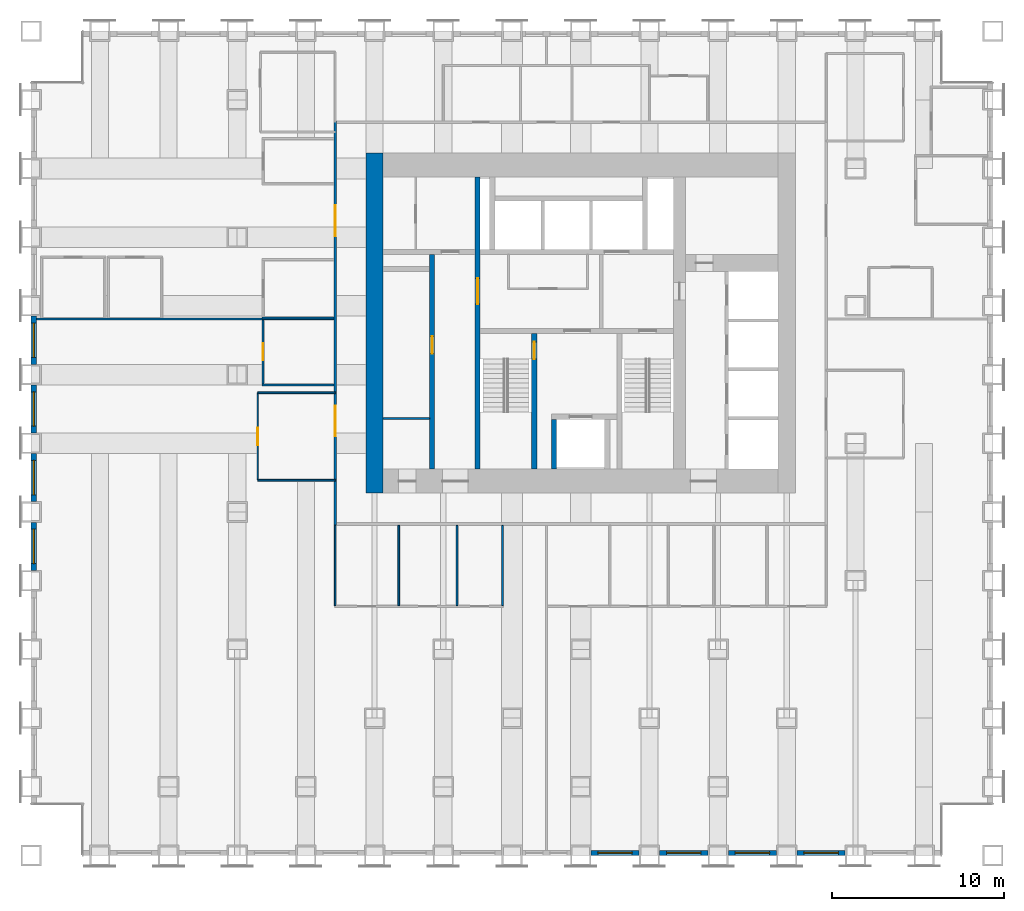
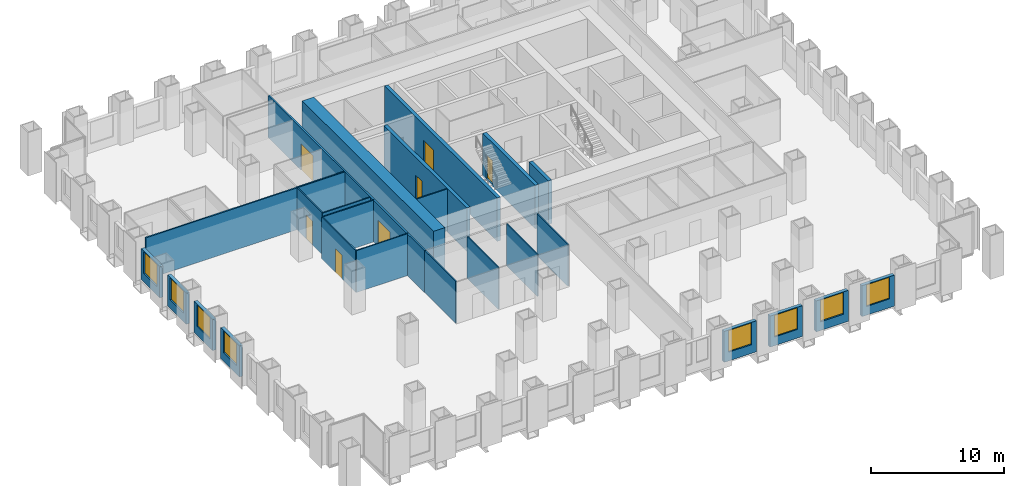
# One storey, part 8 of 14: 26 walls, 8 windows, 7 doors, 15 openings.
"""IFC4 building model written with IfcOpenShell, lengths in metres."""

from ifc_helpers import new_model, si_unit, direction, frame, frame_2d, origin, place, context, subcontext, project, spatial, rectangle, extrude, material, layer, layer_set, type_object, element, fill, save


model = new_model("IFC4")

# Units and contexts
model_context = context("Model", 3, precision=1e-05, world=origin(), true_north=direction((0.0, 1.0)))
body_context = subcontext(model_context, "Body", "Model", "MODEL_VIEW")
ifc_project = project(units=[si_unit("LENGTHUNIT", "METRE"), si_unit("AREAUNIT", "SQUARE_METRE"), si_unit("VOLUMEUNIT", "CUBIC_METRE"), si_unit("PLANEANGLEUNIT", "RADIAN"), si_unit("MASSUNIT", "GRAM", prefix="KILO")], contexts=[model_context])

# Site, building, storey
site_placement = place(None, origin())
site = spatial("IfcSite", under=ifc_project, at=site_placement, CompositionType="ELEMENT")
building_placement = place(site_placement, origin())
building = spatial("IfcBuilding", under=site, at=building_placement, Name="Rimbunsela Tower", CompositionType="ELEMENT")
storey_placement = place(building_placement, frame((0.0, 0.0, 15.0)))
storey = spatial("IfcBuildingStorey", under=building, at=storey_placement, Name="L03", CompositionType="ELEMENT", Elevation=15.0)

# Wall, opening, door
ifc_material_1 = material(Name="Concrete fc' 80 MPa", Category="concrete")
ifc_layer_1 = layer(ifc_material_1, 0.300048828125)
ifc_layer_set_1 = layer_set([ifc_layer_1], Name="Core internal wall 300")
wall_type_1 = type_object("IfcWallType", Name="Core internal wall 300", PredefinedType="SHEAR", material=ifc_layer_set_1)
wall_1_placement = place(storey_placement, frame((24.0, 18.5, -0.14990234375), z_axis=(0.0, 0.0, 1.0), x_axis=(0.0, 1.0, 0.0)))
wall_1 = element("IfcWall", 1, at=wall_1_placement, inside=storey, type_object=wall_type_1, Name="Core wall at stair A", PredefinedType="SHEAR", context=body_context, shape_type="SweptSolid", body=[
    extrude(rectangle(XDim=17.0, YDim=0.300048828125, at=frame_2d((8.5, 0.0))), origin(), (0.0, 0.0, 1.0), 4.0),
])
opening_1_placement = place(wall_1_placement, frame((9.60009765625, 0.0, 0.14990234375)))
opening_1 = element("IfcOpeningElement", 2, at=opening_1_placement, cuts=wall_1, Name="Opening D03", PredefinedType="OPENING", context=body_context, shape_type="SweptSolid", body=[
    extrude(rectangle(XDim=1.5, YDim=2.39990234375, at=frame_2d((0.75, 1.199951171875))), frame((0.0, 0.159912109375, 0.0), z_axis=(0.0, -1.0, 0.0), x_axis=(1.0, 0.0, 0.0)), (0.0, 0.0, 1.0), 0.320068359375),
])
ifc_material_2 = material(Name="Steel door, fire rated", Category="steel")
door_type_1 = type_object("IfcDoorType", Name="Core lobby door 1500", OperationType="DOUBLE_DOOR_DOUBLE_SWING", PredefinedType="DOOR", material=ifc_material_2)
door_1_placement = place(opening_1_placement, origin())
door_1 = element("IfcDoor", 3, at=door_1_placement, inside=storey, type_object=door_type_1, Name="West lobby door", OperationType="DOUBLE_DOOR_DOUBLE_SWING", OverallHeight=2.39990234375, OverallWidth=1.5, PredefinedType="DOOR", context=body_context, shape_type="SweptSolid", body=[
    extrude(rectangle(XDim=1.5, YDim=2.39990234375, at=frame_2d((0.75, 1.199951171875))), frame((0.0, 0.02490234375, 0.0), z_axis=(0.0, -1.0, 0.0), x_axis=(1.0, 0.0, 0.0)), (0.0, 0.0, 1.0), 0.050048828125),
])
fill(opening_1, door_1)

wall_2_placement = place(storey_placement, frame((27.300048828125, 18.5, -0.14990234375), z_axis=(0.0, 0.0, 1.0), x_axis=(0.0, 1.0, 0.0)))
wall_2 = element("IfcWall", 4, at=wall_2_placement, inside=storey, type_object=wall_type_1, Name="Stair A enclosure", PredefinedType="SHEAR", context=body_context, shape_type="SweptSolid", body=[
    extrude(rectangle(XDim=7.89990234375, YDim=0.300048828125, at=frame_2d((3.949951171875, 0.0))), origin(), (0.0, 0.0, 1.0), 4.0),
])
opening_2_placement = place(wall_2_placement, frame((6.39990234375, 0.0, 0.14990234375)))
opening_2 = element("IfcOpeningElement", 5, at=opening_2_placement, cuts=wall_2, Name="Opening D01", PredefinedType="OPENING", context=body_context, shape_type="SweptSolid", body=[
    extrude(rectangle(XDim=1.0, YDim=2.199951171875, at=frame_2d((0.5, 1.10009765625))), frame((0.0, 0.159912109375, 0.0), z_axis=(0.0, -1.0, 0.0), x_axis=(1.0, 0.0, 0.0)), (0.0, 0.0, 1.0), 0.320068359375),
])
ifc_material_3 = material(Name="Steel door, fire rated", Category="steel")
door_type_2 = type_object("IfcDoorType", Name="Stair door 1000", OperationType="SINGLE_SWING_RIGHT", PredefinedType="DOOR", material=ifc_material_3)
door_2_placement = place(opening_2_placement, origin())
door_2 = element("IfcDoor", 6, at=door_2_placement, inside=storey, type_object=door_type_2, Name="Stair A door", OperationType="SINGLE_SWING_RIGHT", OverallHeight=2.199951171875, OverallWidth=1.0, PredefinedType="DOOR", context=body_context, shape_type="SweptSolid", body=[
    extrude(rectangle(XDim=1.0, YDim=2.199951171875, at=frame_2d((0.5, 1.10009765625))), frame((0.0, 0.02490234375, 0.0), z_axis=(0.0, -1.0, 0.0), x_axis=(1.0, 0.0, 0.0)), (0.0, 0.0, 1.0), 0.050048828125),
])
fill(opening_2, door_2)

# Wall
wall_3_placement = place(storey_placement, frame((28.449951171875, 18.5, -0.14990234375), z_axis=(0.0, 0.0, 1.0), x_axis=(0.0, 1.0, 0.0)))
element("IfcWall", 7, at=wall_3_placement, inside=storey, type_object=wall_type_1, Name="Firefighting lift shaft west", PredefinedType="SHEAR", context=body_context, shape_type="SweptSolid", body=[
    extrude(rectangle(XDim=2.89990234375, YDim=0.300048828125, at=frame_2d((1.449951171875, 0.0))), origin(), (0.0, 0.0, 1.0), 4.0),
])

# Wall, opening, door
wall_4_placement = place(storey_placement, frame((21.35009765625, 18.5, -0.14990234375), z_axis=(0.0, 0.0, 1.0), x_axis=(0.0, 1.0, 0.0)))
wall_4 = element("IfcWall", 8, at=wall_4_placement, inside=storey, type_object=wall_type_1, Name="Lift shaft front west", PredefinedType="SHEAR", context=body_context, shape_type="SweptSolid", body=[
    extrude(rectangle(XDim=12.5, YDim=0.300048828125, at=frame_2d((6.25, 0.0))), origin(), (0.0, 0.0, 1.0), 4.0),
])
opening_3_placement = place(wall_4_placement, frame((6.72509765625, 0.0, 0.14990234375)))
opening_3 = element("IfcOpeningElement", 9, at=opening_3_placement, cuts=wall_4, Name="Opening D19", PredefinedType="OPENING", context=body_context, shape_type="SweptSolid", body=[
    extrude(rectangle(XDim=1.0, YDim=2.199951171875, at=frame_2d((0.5, 1.10009765625))), frame((0.0, 0.159912109375, 0.0), z_axis=(0.0, -1.0, 0.0), x_axis=(1.0, 0.0, 0.0)), (0.0, 0.0, 1.0), 0.320068359375),
])
ifc_material_4 = material(Name="Steel door, fire rated", Category="steel")
door_type_3 = type_object("IfcDoorType", Name="Service door 1000 fire rated", OperationType="SINGLE_SWING_LEFT", PredefinedType="DOOR", material=ifc_material_4)
door_3_placement = place(opening_3_placement, origin())
door_3 = element("IfcDoor", 10, at=door_3_placement, inside=storey, type_object=door_type_3, Name="Housekeeping store door", OperationType="SINGLE_SWING_LEFT", OverallHeight=2.199951171875, OverallWidth=1.0, PredefinedType="DOOR", context=body_context, shape_type="SweptSolid", body=[
    extrude(rectangle(XDim=1.0, YDim=2.199951171875, at=frame_2d((0.5, 1.10009765625))), frame((0.0, 0.02490234375, 0.0), z_axis=(0.0, -1.0, 0.0), x_axis=(1.0, 0.0, 0.0)), (0.0, 0.0, 1.0), 0.050048828125),
])
fill(opening_3, door_3)

# Walls
ifc_material_5 = material(Name="Concrete blockwork", Category="masonry")
ifc_layer_2 = layer(ifc_material_5, 0.10009765625)
ifc_layer_set_2 = layer_set([ifc_layer_2], Name="Core room partition 100")
wall_type_2 = type_object("IfcWallType", Name="Core room partition 100", PredefinedType="PARTITIONING", material=ifc_layer_set_2)
wall_5_placement = place(storey_placement, frame((18.5, 21.449951171875, 0.0), z_axis=(0.0, 0.0, 1.0), x_axis=(1.0, 0.0, 0.0)))
element("IfcWall", 11, at=wall_5_placement, inside=storey, type_object=wall_type_2, Name="Housekeeping store wall", PredefinedType="PARTITIONING", context=body_context, shape_type="SweptSolid", body=[
    extrude(rectangle(XDim=2.699951171875, YDim=0.10009765625, at=frame_2d((1.35009765625, 0.0))), origin(), (0.0, 0.0, 1.0), 3.85009765625),
])
ifc_material_6 = material(Name="Concrete fc' 80 MPa", Category="concrete")
ifc_layer_3 = layer(ifc_material_6, 1.0)
ifc_layer_set_3 = layer_set([ifc_layer_3], Name="Core wall 1000")
wall_type_3 = type_object("IfcWallType", Name="Core wall 1000", PredefinedType="SHEAR", material=ifc_layer_set_3)
wall_6_placement = place(storey_placement, frame((18.0, 17.10009765625, -0.14990234375), z_axis=(0.0, 0.0, 1.0), x_axis=(0.0, 1.0, 0.0)))
element("IfcWall", 12, at=wall_6_placement, inside=storey, type_object=wall_type_3, Name="Core wall west", PredefinedType="SHEAR", context=body_context, shape_type="SweptSolid", body=[
    extrude(rectangle(XDim=19.7998046875, YDim=1.0, at=frame_2d((9.89990234375, 0.0))), origin(), (0.0, 0.0, 1.0), 4.0),
])
ifc_material_7 = material(Name="Gypsum board on steel studs", Category="steel")
ifc_layer_4 = layer(ifc_material_7, 0.10009765625)
ifc_layer_set_4 = layer_set([ifc_layer_4], Name="Office partition 100")
wall_type_4 = type_object("IfcWallType", Name="Office partition 100", PredefinedType="PARTITIONING", material=ifc_layer_set_4)
for number, where, z_axis, x_axis, name in (
    (13, (11.449951171875, 23.39990234375, 0.0), (0.0, 0.0, 1.0), (1.0, 0.0, 0.0), "Office partition"),
    (14, (11.449951171875, 27.300048828125, 0.0), (0.0, 0.0, 1.0), (1.0, 0.0, 0.0), "Office partition"),
):
    element("IfcWall", number, at=place(storey_placement, frame(where, z_axis=z_axis, x_axis=x_axis)), inside=storey, type_object=wall_type_4, Name=name, PredefinedType="PARTITIONING", context=body_context, shape_type="SweptSolid", body=[
        extrude(rectangle(XDim=4.175048828125, YDim=0.10009765625, at=frame_2d((2.08740234375, 0.0))), origin(), (0.0, 0.0, 1.0), 3.85009765625),
    ])

# Wall, opening, door
wall_7_placement = place(storey_placement, frame((11.5, 23.449951171875, 0.0), z_axis=(0.0, 0.0, 1.0), x_axis=(0.0, 1.0, 0.0)))
wall_7 = element("IfcWall", 15, at=wall_7_placement, inside=storey, type_object=wall_type_4, Name="Office partition", PredefinedType="PARTITIONING", context=body_context, shape_type="SweptSolid", body=[
    extrude(rectangle(XDim=3.739013671875, YDim=0.10009765625, at=frame_2d((1.86962890625, 0.0))), origin(), (0.0, 0.0, 1.0), 3.85009765625),
])
opening_4_placement = place(wall_7_placement, frame((1.37451171875, 0.0, 0.0)))
opening_4 = element("IfcOpeningElement", 16, at=opening_4_placement, cuts=wall_7, Name="Opening D16", PredefinedType="OPENING", context=body_context, shape_type="SweptSolid", body=[
    extrude(rectangle(XDim=1.0, YDim=2.199951171875, at=frame_2d((0.5, 1.10009765625))), frame((0.0, 0.06005859375, 0.0), z_axis=(0.0, -1.0, 0.0), x_axis=(1.0, 0.0, 0.0)), (0.0, 0.0, 1.0), 0.1201171875),
])
ifc_material_8 = material(Name="Timber door", Category="wood")
door_type_4 = type_object("IfcDoorType", Name="Office door 1000", OperationType="SINGLE_SWING_LEFT", PredefinedType="DOOR", material=ifc_material_8)
door_4_placement = place(opening_4_placement, origin())
door_4 = element("IfcDoor", 17, at=door_4_placement, inside=storey, type_object=door_type_4, Name="Office door", OperationType="SINGLE_SWING_LEFT", OverallHeight=2.199951171875, OverallWidth=1.0, PredefinedType="DOOR", context=body_context, shape_type="SweptSolid", body=[
    extrude(rectangle(XDim=1.0, YDim=2.199951171875, at=frame_2d((0.5, 1.10009765625))), frame((0.0, 0.02490234375, 0.0), z_axis=(0.0, -1.0, 0.0), x_axis=(1.0, 0.0, 0.0)), (0.0, 0.0, 1.0), 0.050048828125),
])
fill(opening_4, door_4)

# Walls
for number, where, z_axis, x_axis, name in (
    (18, (15.699951171875, 10.550048828125, 0.0), (0.0, 0.0, 1.0), (0.0, 1.0, 0.0), "Office partition"),
    (19, (19.39990234375, 10.550048828125, 0.0), (0.0, 0.0, 1.0), (0.0, 1.0, 0.0), "Office partition"),
    (20, (22.800048828125, 10.550048828125, 0.0), (0.0, 0.0, 1.0), (0.0, 1.0, 0.0), "Office partition"),
    (21, (25.449951171875, 10.550048828125, 0.0), (0.0, 0.0, 1.0), (0.0, 1.0, 0.0), "Office partition"),
):
    element("IfcWall", number, at=place(storey_placement, frame(where, z_axis=z_axis, x_axis=x_axis)), inside=storey, type_object=wall_type_4, Name=name, PredefinedType="PARTITIONING", context=body_context, shape_type="SweptSolid", body=[
        extrude(rectangle(XDim=4.675048828125, YDim=0.10009765625, at=frame_2d((2.33740234375, 0.0))), origin(), (0.0, 0.0, 1.0), 3.85009765625),
    ])
wall_8_placement = place(storey_placement, frame((15.699951171875, 22.949951171875, 0.0), z_axis=(0.0, 0.0, 1.0), x_axis=(-1.0, 0.0, 0.0)))
element("IfcWall", 22, at=wall_8_placement, inside=storey, type_object=wall_type_4, Name="Office partition", PredefinedType="PARTITIONING", context=body_context, shape_type="SweptSolid", body=[
    extrude(rectangle(XDim=4.5, YDim=0.10009765625, at=frame_2d((2.25, 0.0))), origin(), (0.0, 0.0, 1.0), 3.85009765625),
])

# Wall, opening, door
wall_9_placement = place(storey_placement, frame((11.199951171875, 22.949951171875, 0.0), z_axis=(0.0, 0.0, 1.0), x_axis=(0.0, -1.0, 0.0)))
wall_9 = element("IfcWall", 23, at=wall_9_placement, inside=storey, type_object=wall_type_4, Name="Office partition", PredefinedType="PARTITIONING", context=body_context, shape_type="SweptSolid", body=[
    extrude(rectangle(XDim=5.099853515625, YDim=0.10009765625, at=frame_2d((2.5498046875, 0.0))), origin(), (0.0, 0.0, 1.0), 3.85009765625),
])
opening_5_placement = place(wall_9_placement, frame((2.050048828125, 0.0, 0.0)))
opening_5 = element("IfcOpeningElement", 24, at=opening_5_placement, cuts=wall_9, Name="Opening D17", PredefinedType="OPENING", context=body_context, shape_type="SweptSolid", body=[
    extrude(rectangle(XDim=1.0, YDim=2.199951171875, at=frame_2d((0.5, 1.10009765625))), frame((0.0, 0.06005859375, 0.0), z_axis=(0.0, -1.0, 0.0), x_axis=(1.0, 0.0, 0.0)), (0.0, 0.0, 1.0), 0.1201171875),
])
ifc_material_9 = material(Name="Glazed aluminium door", Category="aluminium")
door_type_5 = type_object("IfcDoorType", Name="Meeting room door 1000 glazed", OperationType="SINGLE_SWING_RIGHT", PredefinedType="DOOR", material=ifc_material_9)
door_5_placement = place(opening_5_placement, origin())
door_5 = element("IfcDoor", 25, at=door_5_placement, inside=storey, type_object=door_type_5, Name="Reception door", OperationType="SINGLE_SWING_RIGHT", OverallHeight=2.199951171875, OverallWidth=1.0, PredefinedType="DOOR", context=body_context, shape_type="SweptSolid", body=[
    extrude(rectangle(XDim=1.0, YDim=2.199951171875, at=frame_2d((0.5, 1.10009765625))), frame((0.0, 0.02490234375, 0.0), z_axis=(0.0, -1.0, 0.0), x_axis=(1.0, 0.0, 0.0)), (0.0, 0.0, 1.0), 0.050048828125),
])
fill(opening_5, door_5)

# Wall
wall_10_placement = place(storey_placement, frame((11.199951171875, 17.85009765625, 0.0), z_axis=(0.0, 0.0, 1.0), x_axis=(1.0, 0.0, 0.0)))
element("IfcWall", 26, at=wall_10_placement, inside=storey, type_object=wall_type_4, Name="Office partition", PredefinedType="PARTITIONING", context=body_context, shape_type="SweptSolid", body=[
    extrude(rectangle(XDim=4.5, YDim=0.10009765625, at=frame_2d((2.25, 0.0))), origin(), (0.0, 0.0, 1.0), 3.85009765625),
])

# Wall, opening, window
ifc_material_10 = material(Name="Precast concrete fc' 35 MPa", Category="concrete")
ifc_layer_5 = layer(ifc_material_10, 0.300048828125)
ifc_layer_set_5 = layer_set([ifc_layer_5], Name="Precast concrete fc' 35 MPa")
wall_type_5 = type_object("IfcWallType", Name="Precast facade panel 300", PredefinedType="ELEMENTEDWALL", material=ifc_layer_set_5)
wall_11_placement = place(storey_placement, frame((30.60009765625, -3.85009765625, 0.0), z_axis=(0.0, 0.0, 1.0), x_axis=(1.0, 0.0, 0.0)))
wall_11 = element("IfcWall", 27, at=wall_11_placement, inside=storey, type_object=wall_type_5, Name="Facade panel S L03", PredefinedType="ELEMENTEDWALL", context=body_context, shape_type="SweptSolid", body=[
    extrude(rectangle(XDim=2.7998046875, YDim=0.300048828125, at=frame_2d((1.39990234375, 0.0))), origin(), (0.0, 0.0, 1.0), 2.85009765625),
])
opening_6_placement = place(wall_11_placement, frame((0.39990234375, 0.0, 0.800048828125)))
opening_6 = element("IfcOpeningElement", 28, at=opening_6_placement, cuts=wall_11, Name="Opening W1", PredefinedType="OPENING", context=body_context, shape_type="SweptSolid", body=[
    extrude(rectangle(XDim=2.0, YDim=2.0, at=frame_2d((1.0, 1.0))), frame((0.0, 0.159912109375, 0.0), z_axis=(0.0, -1.0, 0.0), x_axis=(1.0, 0.0, 0.0)), (0.0, 0.0, 1.0), 0.320068359375),
])
ifc_material_11 = material(Name="Clear glass in aluminium frame", Category="aluminium")
window_type = type_object("IfcWindowType", Name="Window W1 2000x2000", PartitioningType="DOUBLE_PANEL_VERTICAL", PredefinedType="WINDOW", material=ifc_material_11)
window_1_placement = place(opening_6_placement, origin())
window_1 = element("IfcWindow", 29, at=window_1_placement, inside=storey, type_object=window_type, Name="Window L03", OverallHeight=2.0, OverallWidth=2.0, PartitioningType="SINGLE_PANEL", PredefinedType="WINDOW", context=body_context, shape_type="SweptSolid", body=[
    extrude(rectangle(XDim=2.0, YDim=2.0, at=frame_2d((1.0, 1.0))), frame((0.0, 0.030029296875, 0.0), z_axis=(0.0, -1.0, 0.0), x_axis=(1.0, 0.0, 0.0)), (0.0, 0.0, 1.0), 0.06005859375),
])
fill(opening_6, window_1)

wall_12_placement = place(storey_placement, frame((34.60009765625, -3.85009765625, 0.0), z_axis=(0.0, 0.0, 1.0), x_axis=(1.0, 0.0, 0.0)))
wall_12 = element("IfcWall", 30, at=wall_12_placement, inside=storey, type_object=wall_type_5, Name="Facade panel S L03", PredefinedType="ELEMENTEDWALL", context=body_context, shape_type="SweptSolid", body=[
    extrude(rectangle(XDim=2.7998046875, YDim=0.300048828125, at=frame_2d((1.39990234375, 0.0))), origin(), (0.0, 0.0, 1.0), 2.85009765625),
])
opening_7_placement = place(wall_12_placement, frame((0.39990234375, 0.0, 0.800048828125)))
opening_7 = element("IfcOpeningElement", 31, at=opening_7_placement, cuts=wall_12, Name="Opening W1", PredefinedType="OPENING", context=body_context, shape_type="SweptSolid", body=[
    extrude(rectangle(XDim=2.0, YDim=2.0, at=frame_2d((1.0, 1.0))), frame((0.0, 0.159912109375, 0.0), z_axis=(0.0, -1.0, 0.0), x_axis=(1.0, 0.0, 0.0)), (0.0, 0.0, 1.0), 0.320068359375),
])
window_2_placement = place(opening_7_placement, origin())
window_2 = element("IfcWindow", 32, at=window_2_placement, inside=storey, type_object=window_type, Name="Window L03", OverallHeight=2.0, OverallWidth=2.0, PartitioningType="SINGLE_PANEL", PredefinedType="WINDOW", context=body_context, shape_type="SweptSolid", body=[
    extrude(rectangle(XDim=2.0, YDim=2.0, at=frame_2d((1.0, 1.0))), frame((0.0, 0.030029296875, 0.0), z_axis=(0.0, -1.0, 0.0), x_axis=(1.0, 0.0, 0.0)), (0.0, 0.0, 1.0), 0.06005859375),
])
fill(opening_7, window_2)

wall_13_placement = place(storey_placement, frame((38.60009765625, -3.85009765625, 0.0), z_axis=(0.0, 0.0, 1.0), x_axis=(1.0, 0.0, 0.0)))
wall_13 = element("IfcWall", 33, at=wall_13_placement, inside=storey, type_object=wall_type_5, Name="Facade panel S L03", PredefinedType="ELEMENTEDWALL", context=body_context, shape_type="SweptSolid", body=[
    extrude(rectangle(XDim=2.7998046875, YDim=0.300048828125, at=frame_2d((1.39990234375, 0.0))), origin(), (0.0, 0.0, 1.0), 2.85009765625),
])
opening_8_placement = place(wall_13_placement, frame((0.39990234375, 0.0, 0.800048828125)))
opening_8 = element("IfcOpeningElement", 34, at=opening_8_placement, cuts=wall_13, Name="Opening W1", PredefinedType="OPENING", context=body_context, shape_type="SweptSolid", body=[
    extrude(rectangle(XDim=2.0, YDim=2.0, at=frame_2d((1.0, 1.0))), frame((0.0, 0.159912109375, 0.0), z_axis=(0.0, -1.0, 0.0), x_axis=(1.0, 0.0, 0.0)), (0.0, 0.0, 1.0), 0.320068359375),
])
window_3_placement = place(opening_8_placement, origin())
window_3 = element("IfcWindow", 35, at=window_3_placement, inside=storey, type_object=window_type, Name="Window L03", OverallHeight=2.0, OverallWidth=2.0, PartitioningType="SINGLE_PANEL", PredefinedType="WINDOW", context=body_context, shape_type="SweptSolid", body=[
    extrude(rectangle(XDim=2.0, YDim=2.0, at=frame_2d((1.0, 1.0))), frame((0.0, 0.030029296875, 0.0), z_axis=(0.0, -1.0, 0.0), x_axis=(1.0, 0.0, 0.0)), (0.0, 0.0, 1.0), 0.06005859375),
])
fill(opening_8, window_3)

wall_14_placement = place(storey_placement, frame((42.60009765625, -3.85009765625, 0.0), z_axis=(0.0, 0.0, 1.0), x_axis=(1.0, 0.0, 0.0)))
wall_14 = element("IfcWall", 36, at=wall_14_placement, inside=storey, type_object=wall_type_5, Name="Facade panel S L03", PredefinedType="ELEMENTEDWALL", context=body_context, shape_type="SweptSolid", body=[
    extrude(rectangle(XDim=2.7998046875, YDim=0.300048828125, at=frame_2d((1.39990234375, 0.0))), origin(), (0.0, 0.0, 1.0), 2.85009765625),
])
opening_9_placement = place(wall_14_placement, frame((0.39990234375, 0.0, 0.800048828125)))
opening_9 = element("IfcOpeningElement", 37, at=opening_9_placement, cuts=wall_14, Name="Opening W1", PredefinedType="OPENING", context=body_context, shape_type="SweptSolid", body=[
    extrude(rectangle(XDim=2.0, YDim=2.0, at=frame_2d((1.0, 1.0))), frame((0.0, 0.159912109375, 0.0), z_axis=(0.0, -1.0, 0.0), x_axis=(1.0, 0.0, 0.0)), (0.0, 0.0, 1.0), 0.320068359375),
])
window_4_placement = place(opening_9_placement, origin())
window_4 = element("IfcWindow", 38, at=window_4_placement, inside=storey, type_object=window_type, Name="Window L03", OverallHeight=2.0, OverallWidth=2.0, PartitioningType="SINGLE_PANEL", PredefinedType="WINDOW", context=body_context, shape_type="SweptSolid", body=[
    extrude(rectangle(XDim=2.0, YDim=2.0, at=frame_2d((1.0, 1.0))), frame((0.0, 0.030029296875, 0.0), z_axis=(0.0, -1.0, 0.0), x_axis=(1.0, 0.0, 0.0)), (0.0, 0.0, 1.0), 0.06005859375),
])
fill(opening_9, window_4)

wall_15_placement = place(storey_placement, frame((-1.85009765625, 15.39990234375, 0.0), z_axis=(0.0, 0.0, 1.0), x_axis=(0.0, -1.0, 0.0)))
wall_15 = element("IfcWall", 39, at=wall_15_placement, inside=storey, type_object=wall_type_5, Name="Facade panel W L03", PredefinedType="ELEMENTEDWALL", context=body_context, shape_type="SweptSolid", body=[
    extrude(rectangle(XDim=2.7998046875, YDim=0.300048828125, at=frame_2d((1.39990234375, 0.0))), origin(), (0.0, 0.0, 1.0), 2.85009765625),
])
opening_10_placement = place(wall_15_placement, frame((0.39990234375, 0.0, 0.800048828125)))
opening_10 = element("IfcOpeningElement", 40, at=opening_10_placement, cuts=wall_15, Name="Opening W1", PredefinedType="OPENING", context=body_context, shape_type="SweptSolid", body=[
    extrude(rectangle(XDim=2.0, YDim=2.0, at=frame_2d((1.0, 1.0))), frame((0.0, 0.159912109375, 0.0), z_axis=(0.0, -1.0, 0.0), x_axis=(1.0, 0.0, 0.0)), (0.0, 0.0, 1.0), 0.320068359375),
])
window_5_placement = place(opening_10_placement, origin())
window_5 = element("IfcWindow", 41, at=window_5_placement, inside=storey, type_object=window_type, Name="Window L03", OverallHeight=2.0, OverallWidth=2.0, PartitioningType="SINGLE_PANEL", PredefinedType="WINDOW", context=body_context, shape_type="SweptSolid", body=[
    extrude(rectangle(XDim=2.0, YDim=2.0, at=frame_2d((1.0, 1.0))), frame((0.0, 0.030029296875, 0.0), z_axis=(0.0, -1.0, 0.0), x_axis=(1.0, 0.0, 0.0)), (0.0, 0.0, 1.0), 0.06005859375),
])
fill(opening_10, window_5)

wall_16_placement = place(storey_placement, frame((-1.85009765625, 19.39990234375, 0.0), z_axis=(0.0, 0.0, 1.0), x_axis=(0.0, -1.0, 0.0)))
wall_16 = element("IfcWall", 42, at=wall_16_placement, inside=storey, type_object=wall_type_5, Name="Facade panel W L03", PredefinedType="ELEMENTEDWALL", context=body_context, shape_type="SweptSolid", body=[
    extrude(rectangle(XDim=2.7998046875, YDim=0.300048828125, at=frame_2d((1.39990234375, 0.0))), origin(), (0.0, 0.0, 1.0), 2.85009765625),
])
opening_11_placement = place(wall_16_placement, frame((0.39990234375, 0.0, 0.800048828125)))
opening_11 = element("IfcOpeningElement", 43, at=opening_11_placement, cuts=wall_16, Name="Opening W1", PredefinedType="OPENING", context=body_context, shape_type="SweptSolid", body=[
    extrude(rectangle(XDim=2.0, YDim=2.0, at=frame_2d((1.0, 1.0))), frame((0.0, 0.159912109375, 0.0), z_axis=(0.0, -1.0, 0.0), x_axis=(1.0, 0.0, 0.0)), (0.0, 0.0, 1.0), 0.320068359375),
])
window_6_placement = place(opening_11_placement, origin())
window_6 = element("IfcWindow", 44, at=window_6_placement, inside=storey, type_object=window_type, Name="Window L03", OverallHeight=2.0, OverallWidth=2.0, PartitioningType="SINGLE_PANEL", PredefinedType="WINDOW", context=body_context, shape_type="SweptSolid", body=[
    extrude(rectangle(XDim=2.0, YDim=2.0, at=frame_2d((1.0, 1.0))), frame((0.0, 0.030029296875, 0.0), z_axis=(0.0, -1.0, 0.0), x_axis=(1.0, 0.0, 0.0)), (0.0, 0.0, 1.0), 0.06005859375),
])
fill(opening_11, window_6)

wall_17_placement = place(storey_placement, frame((-1.85009765625, 23.39990234375, 0.0), z_axis=(0.0, 0.0, 1.0), x_axis=(0.0, -1.0, 0.0)))
wall_17 = element("IfcWall", 45, at=wall_17_placement, inside=storey, type_object=wall_type_5, Name="Facade panel W L03", PredefinedType="ELEMENTEDWALL", context=body_context, shape_type="SweptSolid", body=[
    extrude(rectangle(XDim=2.7998046875, YDim=0.300048828125, at=frame_2d((1.39990234375, 0.0))), origin(), (0.0, 0.0, 1.0), 2.85009765625),
])
opening_12_placement = place(wall_17_placement, frame((0.39990234375, 0.0, 0.800048828125)))
opening_12 = element("IfcOpeningElement", 46, at=opening_12_placement, cuts=wall_17, Name="Opening W1", PredefinedType="OPENING", context=body_context, shape_type="SweptSolid", body=[
    extrude(rectangle(XDim=2.0, YDim=2.0, at=frame_2d((1.0, 1.0))), frame((0.0, 0.159912109375, 0.0), z_axis=(0.0, -1.0, 0.0), x_axis=(1.0, 0.0, 0.0)), (0.0, 0.0, 1.0), 0.320068359375),
])
window_7_placement = place(opening_12_placement, origin())
window_7 = element("IfcWindow", 47, at=window_7_placement, inside=storey, type_object=window_type, Name="Window L03", OverallHeight=2.0, OverallWidth=2.0, PartitioningType="SINGLE_PANEL", PredefinedType="WINDOW", context=body_context, shape_type="SweptSolid", body=[
    extrude(rectangle(XDim=2.0, YDim=2.0, at=frame_2d((1.0, 1.0))), frame((0.0, 0.030029296875, 0.0), z_axis=(0.0, -1.0, 0.0), x_axis=(1.0, 0.0, 0.0)), (0.0, 0.0, 1.0), 0.06005859375),
])
fill(opening_12, window_7)

wall_18_placement = place(storey_placement, frame((-1.85009765625, 27.39990234375, 0.0), z_axis=(0.0, 0.0, 1.0), x_axis=(0.0, -1.0, 0.0)))
wall_18 = element("IfcWall", 48, at=wall_18_placement, inside=storey, type_object=wall_type_5, Name="Facade panel W L03", PredefinedType="ELEMENTEDWALL", context=body_context, shape_type="SweptSolid", body=[
    extrude(rectangle(XDim=2.7998046875, YDim=0.300048828125, at=frame_2d((1.39990234375, 0.0))), origin(), (0.0, 0.0, 1.0), 2.85009765625),
])
opening_13_placement = place(wall_18_placement, frame((0.39990234375, 0.0, 0.800048828125)))
opening_13 = element("IfcOpeningElement", 49, at=opening_13_placement, cuts=wall_18, Name="Opening W1", PredefinedType="OPENING", context=body_context, shape_type="SweptSolid", body=[
    extrude(rectangle(XDim=2.0, YDim=2.0, at=frame_2d((1.0, 1.0))), frame((0.0, 0.159912109375, 0.0), z_axis=(0.0, -1.0, 0.0), x_axis=(1.0, 0.0, 0.0)), (0.0, 0.0, 1.0), 0.320068359375),
])
window_8_placement = place(opening_13_placement, origin())
window_8 = element("IfcWindow", 50, at=window_8_placement, inside=storey, type_object=window_type, Name="Window L03", OverallHeight=2.0, OverallWidth=2.0, PartitioningType="SINGLE_PANEL", PredefinedType="WINDOW", context=body_context, shape_type="SweptSolid", body=[
    extrude(rectangle(XDim=2.0, YDim=2.0, at=frame_2d((1.0, 1.0))), frame((0.0, 0.030029296875, 0.0), z_axis=(0.0, -1.0, 0.0), x_axis=(1.0, 0.0, 0.0)), (0.0, 0.0, 1.0), 0.06005859375),
])
fill(opening_13, window_8)

# Wall, openings, doors
ifc_material_12 = material(Name="Fire-rated gypsum board on steel studs, EI 60", Category="steel")
ifc_layer_6 = layer(ifc_material_12, 0.14990234375)
ifc_layer_set_6 = layer_set([ifc_layer_6], Name="Rated corridor wall 150")
wall_type_6 = type_object("IfcWallType", Name="Rated corridor wall 150", PredefinedType="PARTITIONING", material=ifc_layer_set_6)
wall_19_placement = place(storey_placement, frame((15.699951171875, 15.22509765625, 0.0), z_axis=(0.0, 0.0, 1.0), x_axis=(0.0, 1.0, 0.0)))
wall_19 = element("IfcWall", 51, at=wall_19_placement, inside=storey, type_object=wall_type_6, Name="Corridor wall west", PredefinedType="PARTITIONING", context=body_context, shape_type="SweptSolid", body=[
    extrude(rectangle(XDim=23.5498046875, YDim=0.14990234375, at=frame_2d((11.77490234375, 0.0))), origin(), (0.0, 0.0, 1.0), 3.85009765625),
])
opening_14_placement = place(wall_19_placement, frame((5.175048828125, 0.0, 0.0)))
opening_14 = element("IfcOpeningElement", 52, at=opening_14_placement, cuts=wall_19, Name="Opening D09", PredefinedType="OPENING", context=body_context, shape_type="SweptSolid", body=[
    extrude(rectangle(XDim=1.800048828125, YDim=2.39990234375, at=frame_2d((0.89990234375, 1.199951171875))), frame((0.0, 0.0849609375, 0.0), z_axis=(0.0, -1.0, 0.0), x_axis=(1.0, 0.0, 0.0)), (0.0, 0.0, 1.0), 0.169921875),
])
opening_15_placement = place(wall_19_placement, frame((16.824951171875, 0.0, 0.0)))
opening_15 = element("IfcOpeningElement", 53, at=opening_15_placement, cuts=wall_19, Name="Opening D09", PredefinedType="OPENING", context=body_context, shape_type="SweptSolid", body=[
    extrude(rectangle(XDim=1.800048828125, YDim=2.39990234375, at=frame_2d((0.89990234375, 1.199951171875))), frame((0.0, 0.0849609375, 0.0), z_axis=(0.0, -1.0, 0.0), x_axis=(1.0, 0.0, 0.0)), (0.0, 0.0, 1.0), 0.169921875),
])
ifc_material_13 = material(Name="Glazed aluminium door, fire rated", Category="aluminium")
door_type_6 = type_object("IfcDoorType", Name="Tenancy door 1800 glazed", OperationType="DOUBLE_DOOR_DOUBLE_SWING", PredefinedType="DOOR", material=ifc_material_13)
door_6_placement = place(opening_14_placement, origin())
door_6 = element("IfcDoor", 54, at=door_6_placement, inside=storey, type_object=door_type_6, Name="Tenancy door", OperationType="DOUBLE_DOOR_DOUBLE_SWING", OverallHeight=2.39990234375, OverallWidth=1.800048828125, PredefinedType="DOOR", context=body_context, shape_type="SweptSolid", body=[
    extrude(rectangle(XDim=1.800048828125, YDim=2.39990234375, at=frame_2d((0.89990234375, 1.199951171875))), frame((0.0, 0.02490234375, 0.0), z_axis=(0.0, -1.0, 0.0), x_axis=(1.0, 0.0, 0.0)), (0.0, 0.0, 1.0), 0.050048828125),
])
fill(opening_14, door_6)
door_7_placement = place(opening_15_placement, origin())
door_7 = element("IfcDoor", 55, at=door_7_placement, inside=storey, type_object=door_type_6, Name="Tenancy door", OperationType="DOUBLE_DOOR_DOUBLE_SWING", OverallHeight=2.39990234375, OverallWidth=1.800048828125, PredefinedType="DOOR", context=body_context, shape_type="SweptSolid", body=[
    extrude(rectangle(XDim=1.800048828125, YDim=2.39990234375, at=frame_2d((0.89990234375, 1.199951171875))), frame((0.0, 0.02490234375, 0.0), z_axis=(0.0, -1.0, 0.0), x_axis=(1.0, 0.0, 0.0)), (0.0, 0.0, 1.0), 0.050048828125),
])
fill(opening_15, door_7)

# Wall
ifc_material_14 = material(Name="Gypsum board on steel studs", Category="steel")
ifc_layer_7 = layer(ifc_material_14, 0.1201171875)
ifc_layer_set_7 = layer_set([ifc_layer_7], Name="Tenancy partition 120")
wall_type_7 = type_object("IfcWallType", Name="Tenancy partition 120", PredefinedType="PARTITIONING", material=ifc_layer_set_7)
wall_20_placement = place(storey_placement, frame((-1.699951171875, 27.25, 0.0), z_axis=(0.0, 0.0, 1.0), x_axis=(1.0, 0.0, 0.0)))
element("IfcWall", 56, at=wall_20_placement, inside=storey, type_object=wall_type_7, Name="Tenancy partition", PredefinedType="PARTITIONING", context=body_context, shape_type="SweptSolid", body=[
    extrude(rectangle(XDim=17.324951171875, YDim=0.1201171875, at=frame_2d((8.66259765625, 0.0))), origin(), (0.0, 0.0, 1.0), 3.85009765625),
])

save(model, "model.ifc")
